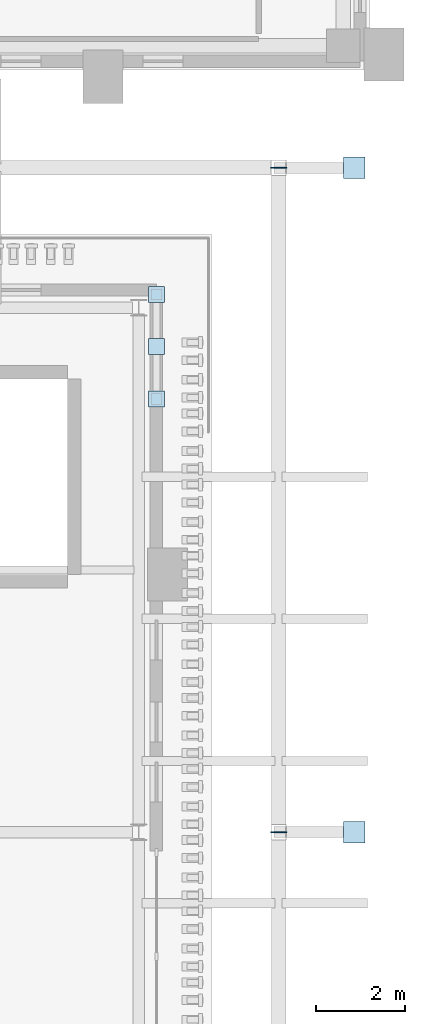
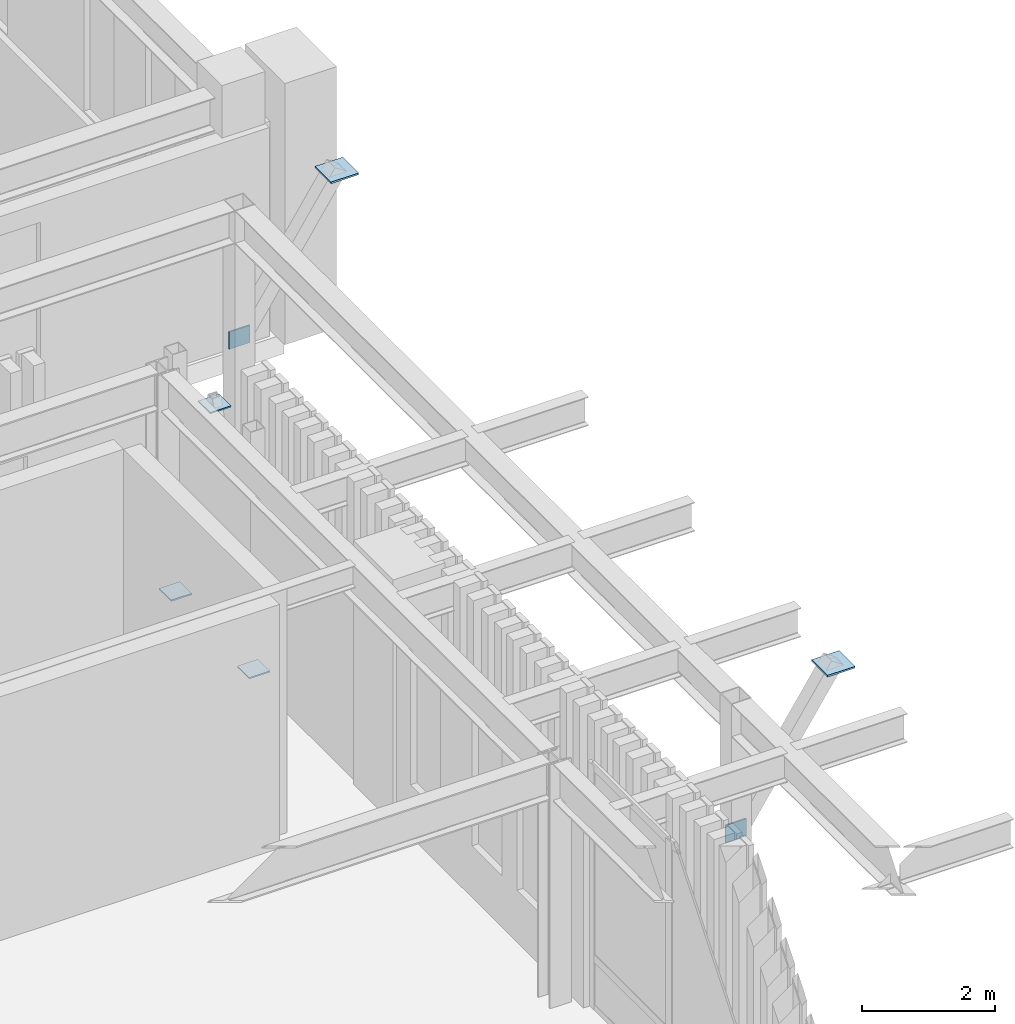
# One storey, part 87 of 126: 7 plates.
"""IFC4 building model written with IfcOpenShell, lengths in metres."""

from ifc_helpers import new_model, si_unit, derived_unit, direction, frame, origin, origin_2d, place, context, subcontext, project, spatial, rectangle, extrude, material, layer, layer_set, type_object, element, save


model = new_model("IFC4")

# Units and contexts
model_context = context("Model", 3, precision=1e-05, world=origin(), true_north=direction((0.0, 1.0)))
body_context = subcontext(model_context, "Body", "Model", "MODEL_VIEW")
ifc_project = project(units=[si_unit("LENGTHUNIT", "METRE"), si_unit("AREAUNIT", "SQUARE_METRE"), si_unit("VOLUMEUNIT", "CUBIC_METRE"), si_unit("PLANEANGLEUNIT", "RADIAN"), si_unit("MASSUNIT", "GRAM", prefix="KILO"), derived_unit("THERMALTRANSMITTANCEUNIT", [(si_unit("MASSUNIT", "GRAM", prefix="KILO"), 1), (si_unit("TIMEUNIT", "SECOND"), -3), (si_unit("THERMODYNAMICTEMPERATUREUNIT", "KELVIN"), -1)])], contexts=[model_context])

# Site, building, storey
site_placement = place(None, origin())
site = spatial("IfcSite", under=ifc_project, at=site_placement, CompositionType="ELEMENT")
building_placement = place(site_placement, origin())
building = spatial("IfcBuilding", under=site, at=building_placement, Name="Valcora Ridge Arena", CompositionType="ELEMENT")
storey_placement = place(building_placement, frame((0.0, 0.0, 11.39990234375)))
storey = spatial("IfcBuildingStorey", under=building, at=storey_placement, Name="L02", CompositionType="ELEMENT", Elevation=11.39990234375)

# Plates
ifc_material = material(Name="Steel ASTM A572 Grade 50", Category="steel")
ifc_layer_1 = layer(ifc_material, 0.031982421875, Name="Steel ASTM A572 Grade 50")
ifc_layer_set_1 = layer_set([ifc_layer_1], Name="Steel ASTM A572 Grade 50")
plate_type_1 = type_object("IfcPlateType", Name="TY-PLATE-PL-CAP-450", PredefinedType="USERDEFINED", material=ifc_layer_set_1)
for number, where, z_axis, x_axis, name in (
    (1, (191.64990234375, 66.0, 4.4482421875), (0.0, 0.0, 1.0), (1.0, 0.0, 0.0), "PL-CAP-450 KB-GP-0012"),
    (2, (191.64990234375, 80.949951171875, 4.4482421875), (0.0, 0.0, 1.0), (1.0, 0.0, 0.0), "PL-CAP-450 KB-GP-0014"),
):
    element("IfcPlate", number, at=place(storey_placement, frame(where, z_axis=z_axis, x_axis=x_axis)), inside=storey, type_object=plate_type_1, Name=name, ObjectType="GUSSET_PLATE", PredefinedType="USERDEFINED", context=body_context, shape_type="SweptSolid", body=[
        extrude(rectangle(XDim=0.47998046875, YDim=0.47998046875, at=origin_2d()), origin(), (0.0, 0.0, 1.0), 0.031982421875),
    ])
ifc_layer_2 = layer(ifc_material, 0.02490234375, Name="Steel ASTM A572 Grade 50")
ifc_layer_set_2 = layer_set([ifc_layer_2], Name="Steel ASTM A572 Grade 50")
plate_type_2 = type_object("IfcPlateType", Name="TY-PLATE-PL-GUS-25", PredefinedType="USERDEFINED", material=ifc_layer_set_2)
for number, where, z_axis, x_axis, name in (
    (3, (187.199951171875, 75.75, 0.000244140625), (0.0, 0.0, 1.0), (1.0, 0.0, 0.0), "PL-GUS-25 BR-GP-0016"),
    (4, (187.199951171875, 78.10009765625, 0.000244140625), (0.0, 0.0, 1.0), (1.0, 0.0, 0.0), "PL-GUS-25 BR-GP-0017"),
    (5, (187.199951171875, 76.925048828125, 4.16015625), (0.0, 0.0, 1.0), (1.0, 0.0, 0.0), "PL-GUS-25 BR-GP-0018"),
):
    element("IfcPlate", number, at=place(storey_placement, frame(where, z_axis=z_axis, x_axis=x_axis)), inside=storey, type_object=plate_type_2, Name=name, ObjectType="GUSSET_PLATE", PredefinedType="USERDEFINED", context=body_context, shape_type="SweptSolid", body=[
        extrude(rectangle(XDim=0.360107421875, YDim=0.360107421875, at=origin_2d()), origin(), (0.0, 0.0, 1.0), 0.02490234375),
    ])
ifc_layer_3 = layer(ifc_material, 0.02490234375, Name="Steel ASTM A572 Grade 50")
ifc_layer_set_3 = layer_set([ifc_layer_3], Name="Steel ASTM A572 Grade 50")
plate_type_3 = type_object("IfcPlateType", Name="TY-PLATE-PL-GUS-25E", PredefinedType="USERDEFINED", material=ifc_layer_set_3)
for number, where, z_axis, x_axis, name in (
    (6, (189.949951171875, 66.0, 1.83984375), (0.0, 0.0, 1.0), (1.0, 0.0, 0.0), "PL-GUS-25E KB-GP-0030"),
    (7, (189.949951171875, 80.949951171875, 1.83984375), (0.0, 0.0, 1.0), (1.0, 0.0, 0.0), "PL-GUS-25E KB-GP-0032"),
):
    element("IfcPlate", number, at=place(storey_placement, frame(where, z_axis=z_axis, x_axis=x_axis)), inside=storey, type_object=plate_type_3, Name=name, ObjectType="GUSSET_PLATE", PredefinedType="USERDEFINED", context=body_context, shape_type="SweptSolid", body=[
        extrude(rectangle(XDim=0.360107421875, YDim=0.02490234375, at=origin_2d()), origin(), (0.0, 0.0, 1.0), 0.320068359375),
    ])

save(model, "model.ifc")
